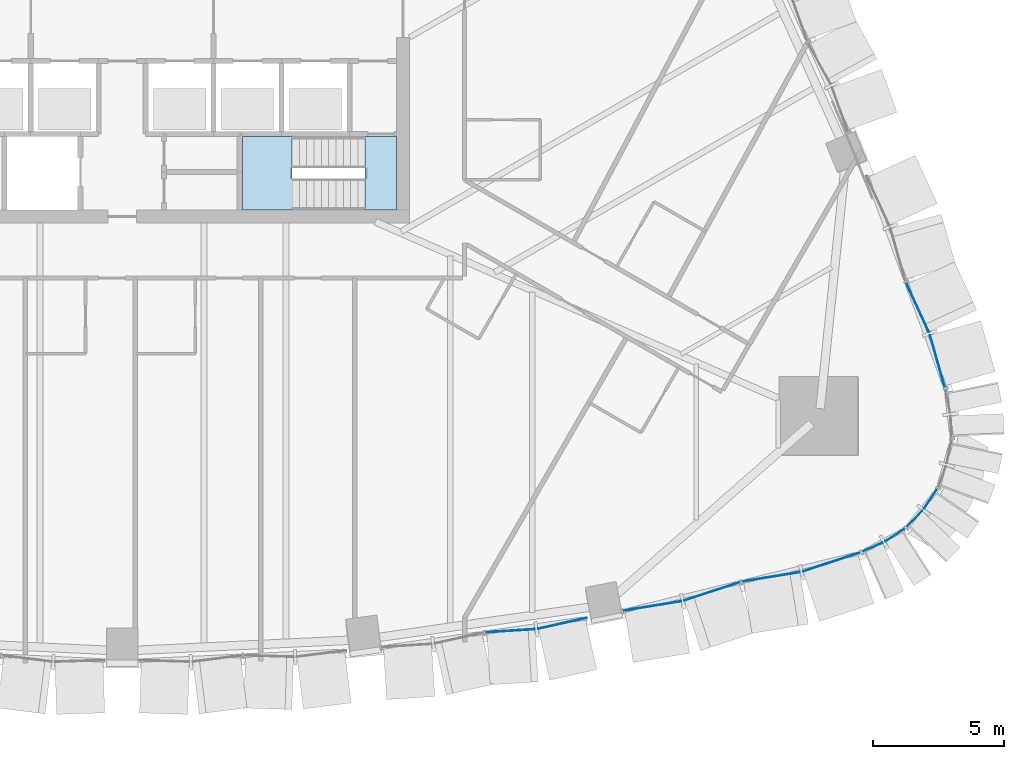
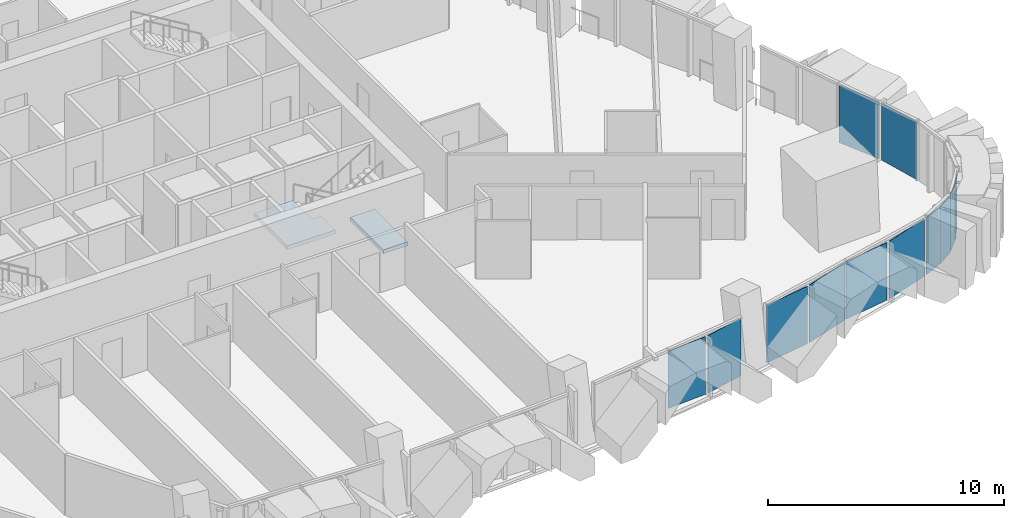
# One storey, part 10 of 22: 12 plates, 2 slabs, 6 elements without a shape of their own.
"""IFC4 building model written with IfcOpenShell, lengths in metres."""

from ifc_helpers import new_model, si_unit, direction, frame, origin, place, context, subcontext, project, spatial, polyline, outline, extrude, material, layer, layer_set, type_object, element, aggregate, save


model = new_model("IFC4")

# Units and contexts
model_context = context("Model", 3, precision=1e-05, world=origin(), true_north=direction((0.0, 1.0)))
body_context = subcontext(model_context, "Body", "Model", "MODEL_VIEW")
ifc_project = project(units=[si_unit("LENGTHUNIT", "METRE"), si_unit("AREAUNIT", "SQUARE_METRE"), si_unit("VOLUMEUNIT", "CUBIC_METRE"), si_unit("PLANEANGLEUNIT", "RADIAN"), si_unit("MASSUNIT", "GRAM", prefix="KILO")], contexts=[model_context])

# Site, building, storey
site_placement = place(None, origin())
site = spatial("IfcSite", under=ifc_project, at=site_placement, CompositionType="ELEMENT")
building_placement = place(site_placement, origin())
building = spatial("IfcBuilding", under=site, at=building_placement, Name="Sierra Prisma Convention Tower", CompositionType="ELEMENT")
storey_placement = place(building_placement, frame((0.0, 0.0, 66.5)))
storey = spatial("IfcBuildingStorey", under=building, at=storey_placement, Name="L12", CompositionType="ELEMENT", Elevation=66.5)

# Curtain wall, plates
ifc_material_1 = material(Name="Aluminium and glass curtain wall", Category="aluminium")
ifc_layer_1 = layer(ifc_material_1, 0.179931640625)
ifc_layer_set_1 = layer_set([ifc_layer_1], Name="CW-2 Faceted crystal curtain wall")
curtain_wall_type = type_object("IfcCurtainWallType", Name="CW-2 Faceted crystal curtain wall", PredefinedType="NOTDEFINED", material=ifc_layer_set_1)
curtain_wall_1_placement = place(storey_placement, origin())
curtain_wall_1 = element("IfcCurtainWall", 1, at=curtain_wall_1_placement, inside=storey, type_object=curtain_wall_type, Name="CW-2 S5 L12", PredefinedType="NOTDEFINED")
ifc_material_2 = material(Name="Tinted glass bronze-grey IGU", Category="glass")
ifc_layer_2 = layer(ifc_material_2, 0.028076171875)
ifc_layer_set_2 = layer_set([ifc_layer_2], Name="CW-2 crystal pane")
plate_type = type_object("IfcPlateType", Name="CW-2 crystal pane", PredefinedType="CURTAIN_PANEL", material=ifc_layer_set_2)
plate_1_placement = place(storey_placement, frame((13.89306640625, -23.677734375, 0.0), z_axis=(0.062928836032, -0.998018016669, 0.0), x_axis=(0.998018016669, 0.062928836032, 0.0)))
plate_1 = element("IfcPlate", 2, at=plate_1_placement, type_object=plate_type, Name="CW-2 pane S5.2.1", PredefinedType="CURTAIN_PANEL", context=body_context, shape_type="SweptSolid", body=[
    extrude(outline(polyline([(0.0, 0.0), (1.904898523997113, 0.0), (1.904898523997113, 2.9799804687499996), (0.0, 2.9799804687499996), (0.0, 0.0)])), origin(), (0.0, 0.0, -1.0), 0.028076171875),
])
plate_2_placement = place(storey_placement, frame((17.781494140625, -23.12353515625, 0.0), z_axis=(0.218368523733, -0.975866378068, 0.0), x_axis=(-0.975866378068, -0.218368523733, 0.0)))
plate_2 = element("IfcPlate", 3, at=plate_2_placement, type_object=plate_type, Name="CW-2 pane S5.2.2", PredefinedType="CURTAIN_PANEL", context=body_context, shape_type="SweptSolid", body=[
    extrude(outline(polyline([(0.0, 0.0), (1.9051080159729965, 0.0), (1.9051080159729965, -2.9799804687500004), (0.0, -2.9799804687500004), (0.0, 0.0)])), origin(), (0.0, 0.0, -1.0), 0.028076171875),
])
aggregate(curtain_wall_1, [plate_1, plate_2])

curtain_wall_2_placement = place(storey_placement, origin())
curtain_wall_2 = element("IfcCurtainWall", 4, at=curtain_wall_2_placement, inside=storey, type_object=curtain_wall_type, Name="CW-2 S6 L12", PredefinedType="NOTDEFINED")
plate_3_placement = place(storey_placement, frame((19.16748046875, -22.851806640625, 0.0), z_axis=(0.161052024286, -0.986945918211, 0.0), x_axis=(0.986945918211, 0.161052024286, 0.0)))
plate_3 = element("IfcPlate", 5, at=plate_3_placement, type_object=plate_type, Name="CW-2 pane S6.1.1", PredefinedType="CURTAIN_PANEL", context=body_context, shape_type="SweptSolid", body=[
    extrude(outline(polyline([(0.0, 0.0), (2.2480968400190027, 0.0), (2.2480968400190027, 2.97998046875), (0.0, 2.97998046875), (0.0, 0.0)])), origin(), (0.0, 0.0, -1.0), 0.028076171875),
])
plate_4_placement = place(storey_placement, frame((23.646728515625, -21.754150390625, 0.0), z_axis=(0.313522391506, -0.949580807527, 0.0), x_axis=(-0.949580807527, -0.313522391506, 0.0)))
plate_4 = element("IfcPlate", 6, at=plate_4_placement, type_object=plate_type, Name="CW-2 pane S6.1.2", PredefinedType="CURTAIN_PANEL", context=body_context, shape_type="SweptSolid", body=[
    extrude(outline(polyline([(0.0, 0.0), (2.2481137024651527, 0.0), (2.2481137024651527, -2.97998046875), (0.0, -2.97998046875), (0.0, 0.0)])), origin(), (0.0, 0.0, -1.0), 0.028076171875),
])
plate_5_placement = place(storey_placement, frame((23.71484375, -21.737548828125, 0.0), z_axis=(0.161175077804, -0.986925830189, 0.0), x_axis=(0.986925830189, 0.161175077804, 0.0)))
plate_5 = element("IfcPlate", 7, at=plate_5_placement, type_object=plate_type, Name="CW-2 pane S6.2.1", PredefinedType="CURTAIN_PANEL", context=body_context, shape_type="SweptSolid", body=[
    extrude(outline(polyline([(0.0, 0.0), (2.247895223240105, 0.0), (2.247895223240105, 2.97998046875), (0.0, 2.97998046875), (0.0, 0.0)])), origin(), (0.0, 0.0, -1.0), 0.028076171875),
])
plate_6_placement = place(storey_placement, frame((28.194091796875, -20.6396484375, 0.0), z_axis=(0.313522391506, -0.949580807527, 0.0), x_axis=(-0.949580807527, -0.313522391506, 0.0)))
plate_6 = element("IfcPlate", 8, at=plate_6_placement, type_object=plate_type, Name="CW-2 pane S6.2.2", PredefinedType="CURTAIN_PANEL", context=body_context, shape_type="SweptSolid", body=[
    extrude(outline(polyline([(0.0, 0.0), (2.2481137024651527, 0.0), (2.2481137024651527, -2.97998046875), (0.0, -2.97998046875), (0.0, 0.0)])), origin(), (0.0, 0.0, -1.0), 0.028076171875),
])
aggregate(curtain_wall_2, [plate_3, plate_4, plate_5, plate_6])

curtain_wall_3_placement = place(storey_placement, origin())
curtain_wall_3 = element("IfcCurtainWall", 9, at=curtain_wall_3_placement, inside=storey, type_object=curtain_wall_type, Name="CW-2 SE1 L12", PredefinedType="NOTDEFINED")
plate_7_placement = place(storey_placement, frame((28.32373046875, -20.58984375, 0.0), z_axis=(0.401500106002, -0.915858976524, 0.0), x_axis=(0.915858976524, 0.401500106002, 0.0)))
plate_7 = element("IfcPlate", 10, at=plate_7_placement, type_object=plate_type, Name="CW-2 pane SE1.1.1", PredefinedType="CURTAIN_PANEL", context=body_context, shape_type="SweptSolid", body=[
    extrude(outline(polyline([(0.0, 0.0), (0.8458269482326195, 0.0), (0.8458269482326195, 2.97998046875), (0.0, 2.97998046875), (0.0, 0.0)])), origin(), (0.0, 0.0, -1.0), 0.028076171875),
])
plate_8_placement = place(storey_placement, frame((29.92431640625, -19.732177734375, 0.0), z_axis=(0.54002799642, -0.841647053748, 0.0), x_axis=(-0.841647053748, -0.54002799642, 0.0)))
plate_8 = element("IfcPlate", 11, at=plate_8_placement, type_object=plate_type, Name="CW-2 pane SE1.1.2", PredefinedType="CURTAIN_PANEL", context=body_context, shape_type="SweptSolid", body=[
    extrude(outline(polyline([(0.0, 0.0), (0.8458582006911219, 0.0), (0.8458582006911219, -2.97998046875), (0.0, -2.97998046875), (0.0, 0.0)])), origin(), (0.0, 0.0, -1.0), 0.028076171875),
])
aggregate(curtain_wall_3, [plate_7, plate_8])

curtain_wall_4_placement = place(storey_placement, origin())
curtain_wall_4 = element("IfcCurtainWall", 12, at=curtain_wall_4_placement, inside=storey, type_object=curtain_wall_type, Name="CW-2 SE2 L12", PredefinedType="NOTDEFINED")
plate_9_placement = place(storey_placement, frame((30.030029296875, -19.644775390625, 0.0), z_axis=(0.726604729422, -0.68705572349, 0.0), x_axis=(0.68705572349, 0.726604729422, 0.0)))
plate_9 = element("IfcPlate", 13, at=plate_9_placement, type_object=plate_type, Name="CW-2 pane SE2.1.1", PredefinedType="CURTAIN_PANEL", context=body_context, shape_type="SweptSolid", body=[
    extrude(outline(polyline([(0.0, 0.0), (0.8457169740877633, 0.0), (0.8457169740877633, 2.97998046875), (0.0, 2.97998046875), (0.0, 0.0)])), origin(), (0.0, 0.0, -1.0), 0.028076171875),
])
plate_10_placement = place(storey_placement, frame((31.170166015625, -18.2314453125, 0.0), z_axis=(0.825193970875, -0.564849458203, 0.0), x_axis=(-0.564849458203, -0.825193970875, 0.0)))
plate_10 = element("IfcPlate", 14, at=plate_10_placement, type_object=plate_type, Name="CW-2 pane SE2.1.2", PredefinedType="CURTAIN_PANEL", context=body_context, shape_type="SweptSolid", body=[
    extrude(outline(polyline([(0.0, 0.0), (0.8458593633871412, 0.0), (0.8458593633871412, -2.97998046875), (0.0, -2.97998046875), (0.0, 0.0)])), origin(), (0.0, 0.0, -1.0), 0.028076171875),
])
aggregate(curtain_wall_4, [plate_9, plate_10])

curtain_wall_5_placement = place(storey_placement, origin())
curtain_wall_5 = element("IfcCurtainWall", 15, at=curtain_wall_5_placement, inside=storey, type_object=curtain_wall_type, Name="CW-2 NE1 L12", PredefinedType="NOTDEFINED")
plate_11_placement = place(storey_placement, frame((31.4912109375, -14.289306640625, 0.0), z_axis=(0.962097483026, 0.272705762965, 0.0), x_axis=(-0.272705762965, 0.962097483026, 0.0)))
plate_11 = element("IfcPlate", 16, at=plate_11_placement, type_object=plate_type, Name="CW-2 pane NE1.1.1", PredefinedType="CURTAIN_PANEL", context=body_context, shape_type="SweptSolid", body=[
    extrude(outline(polyline([(0.0, 0.0), (2.0805677383945, 0.0), (2.0805677383945, 2.97998046875), (0.0, 2.97998046875), (0.0, 0.0)])), origin(), (0.0, 0.0, -1.0), 0.028076171875),
])
plate_12_placement = place(storey_placement, frame((30.005126953125, -10.277587890625, 0.0), z_axis=(0.907557179198, 0.419928525449, 0.0), x_axis=(0.419928525449, -0.907557179198, 0.0)))
plate_12 = element("IfcPlate", 17, at=plate_12_placement, type_object=plate_type, Name="CW-2 pane NE1.1.2", PredefinedType="CURTAIN_PANEL", context=body_context, shape_type="SweptSolid", body=[
    extrude(outline(polyline([(0.0, 0.0), (2.0807809994336415, 0.0), (2.0807809994336415, -2.97998046875), (0.0, -2.97998046875), (0.0, 0.0)])), origin(), (0.0, 0.0, -1.0), 0.028076171875),
])
aggregate(curtain_wall_5, [plate_11, plate_12])

# Stair, slab
ifc_material_3 = material(Name="Concrete C30/37", Category="concrete")
stair_type = type_object("IfcStairType", Name="Stair dog-leg 1200 RC", PredefinedType="HALF_TURN_STAIR", material=ifc_material_3)
stair_placement = place(storey_placement, origin())
stair = element("IfcStair", 18, at=stair_placement, inside=storey, type_object=stair_type, Name="L12 S2", PredefinedType="HALF_TURN_STAIR")
ifc_material_4 = material(Name="Concrete C35/45", Category="concrete")
ifc_layer_3 = layer(ifc_material_4, 0.199951171875)
ifc_layer_set_3 = layer_set([ifc_layer_3], Name="Stair landing slab")
slab_type = type_object("IfcSlabType", Name="Stair landing slab", PredefinedType="LANDING", material=ifc_layer_set_3)
slab_1_placement = place(storey_placement, frame((0.0, 0.0, 1.64990234375)))
slab_1 = element("IfcSlab", 19, at=slab_1_placement, type_object=slab_type, Name="S2 landing 1", PredefinedType="LANDING", context=body_context, shape_type="SweptSolid", body=[
    extrude(outline(polyline([(6.949951171875, -6.300048828125), (6.949951171875, -7.5), (4.60009765625, -7.5), (4.60009765625, -4.699951171875), (6.501953125, -4.699951171875), (6.501953125, -6.300048828125), (6.949951171875, -6.300048828125)])), origin(), (0.0, 0.0, 1.0), 0.2001953125),
])
aggregate(stair, [slab_1])

# Slab
slab_2_placement = place(storey_placement, frame((0.0, 0.0, -0.199951171875)))
element("IfcSlab", 20, at=slab_2_placement, inside=storey, type_object=slab_type, Name="S2 floor landing L12", PredefinedType="LANDING", context=body_context, shape_type="SweptSolid", body=[
    extrude(outline(polyline([(10.5, -4.699951171875), (9.298095703125, -4.699951171875), (9.298095703125, -7.5), (10.5, -7.5), (10.5, -4.699951171875)])), origin(), (0.0, 0.0, 1.0), 0.199951171875),
])

save(model, "model.ifc")
